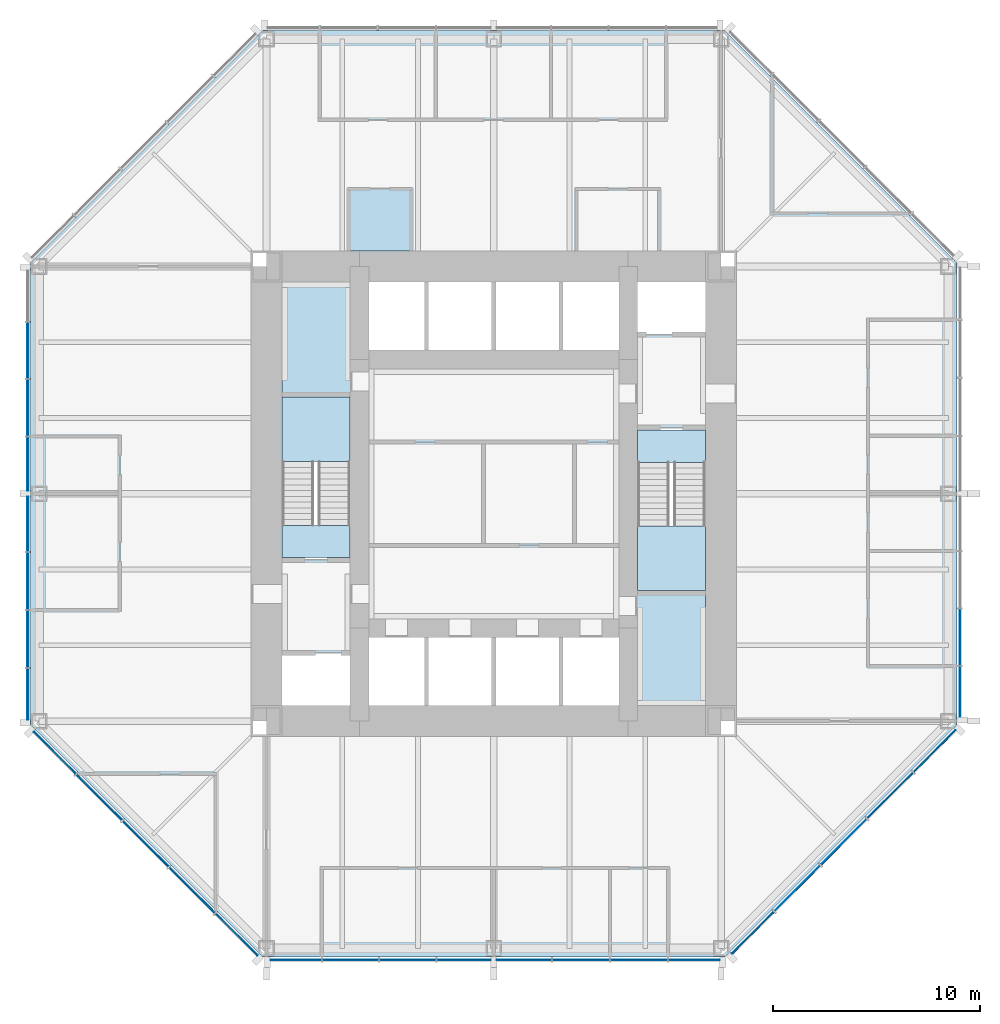
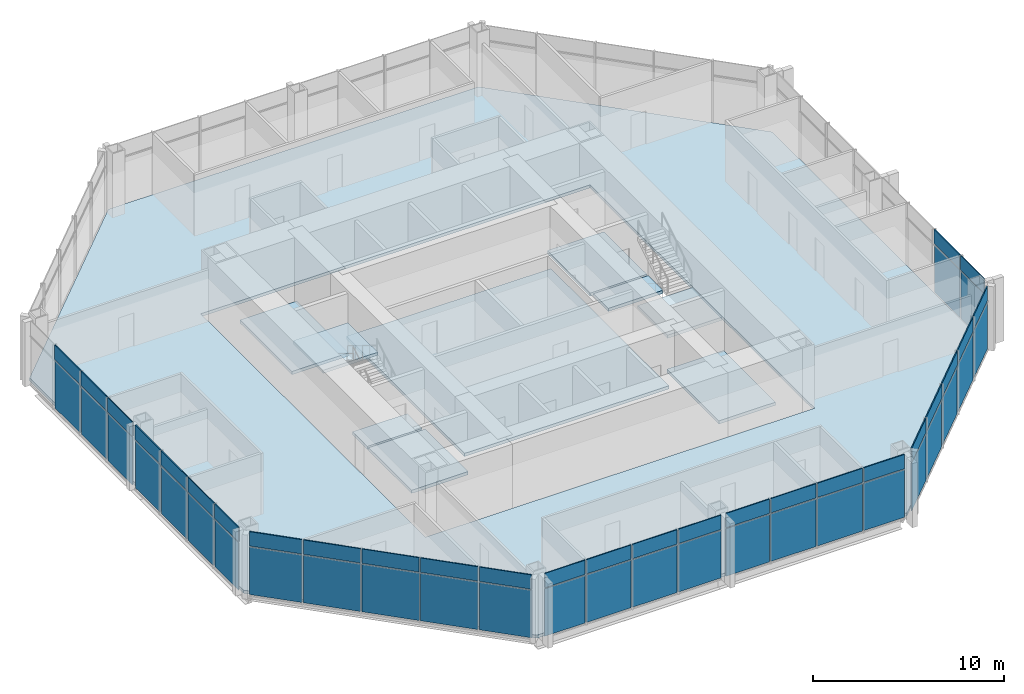
# One storey, part 7 of 12: 54 plates, 10 slabs, 7 elements without a shape of their own.
"""IFC4 building model written with IfcOpenShell, lengths in metres."""

from ifc_helpers import new_model, si_unit, direction, frame, origin, origin_2d, place, context, subcontext, project, spatial, polyline, rectangle, outline, extrude, material, layer, layer_set, type_object, element, aggregate, save


model = new_model("IFC4")

# Units and contexts
model_context = context("Model", 3, precision=1e-05, world=origin(), true_north=direction((0.0, 1.0)))
body_context = subcontext(model_context, "Body", "Model", "MODEL_VIEW")
ifc_project = project(units=[si_unit("LENGTHUNIT", "METRE"), si_unit("AREAUNIT", "SQUARE_METRE"), si_unit("VOLUMEUNIT", "CUBIC_METRE"), si_unit("PLANEANGLEUNIT", "RADIAN"), si_unit("MASSUNIT", "GRAM", prefix="KILO")], contexts=[model_context])

# Site, building, storey
site_placement = place(None, origin())
site = spatial("IfcSite", under=ifc_project, at=site_placement, CompositionType="ELEMENT")
building_placement = place(site_placement, origin())
building = spatial("IfcBuilding", under=site, at=building_placement, Name="Trevanion Tower", CompositionType="ELEMENT")
storey_placement = place(building_placement, frame((0.0, 0.0, 150.0)))
storey = spatial("IfcBuildingStorey", under=building, at=storey_placement, Name="L35", CompositionType="ELEMENT", Elevation=150.0)

# Curtain wall, plates
ifc_material_1 = material(Name="Aluminium and glass", Category="aluminium")
curtain_wall_type = type_object("IfcCurtainWallType", Name="CW2 curtain wall", PredefinedType="USERDEFINED", material=ifc_material_1)
curtain_wall_1_placement = place(storey_placement, origin())
curtain_wall_1 = element("IfcCurtainWall", 1, at=curtain_wall_1_placement, inside=storey, type_object=curtain_wall_type, Name="CW2 L35 0", ObjectType="UNITISED CURTAIN WALL", PredefinedType="USERDEFINED")
ifc_material_2 = material(Name="Aluminium spandrel panel", Category="aluminium")
ifc_layer_1 = layer(ifc_material_2, 0.06005859375)
ifc_layer_set_1 = layer_set([ifc_layer_1], Name="CW2 spandrel panel")
plate_type_1 = type_object("IfcPlateType", Name="CW2 spandrel panel", PredefinedType="CURTAIN_PANEL", material=ifc_layer_set_1)
plate_1_placement = place(storey_placement, frame((22.550048828125, -9.579345703125, 2.99755859375), z_axis=(0.0, 0.0, 1.0), x_axis=(0.0, 1.0, 0.0)))
plate_1 = element("IfcPlate", 2, at=plate_1_placement, type_object=plate_type_1, Name="CW2 panel 1.2", PredefinedType="CURTAIN_PANEL", context=body_context, shape_type="SweptSolid", body=[
    extrude(rectangle(XDim=2.43701171875, YDim=0.06005859375, at=origin_2d()), origin(), (0.0, 0.0, 1.0), 0.91259765625),
])
plate_2_placement = place(storey_placement, frame((22.550048828125, -6.93603515625, 2.99755859375), z_axis=(0.0, 0.0, 1.0), x_axis=(0.0, 1.0, 0.0)))
plate_2 = element("IfcPlate", 3, at=plate_2_placement, type_object=plate_type_1, Name="CW2 panel 2.2", PredefinedType="CURTAIN_PANEL", context=body_context, shape_type="SweptSolid", body=[
    extrude(rectangle(XDim=2.699462890625, YDim=0.06005859375, at=origin_2d()), origin(), (0.0, 0.0, 1.0), 0.91259765625),
])

curtain_wall_2_placement = place(storey_placement, origin())
curtain_wall_2 = element("IfcCurtainWall", 4, at=curtain_wall_2_placement, inside=storey, type_object=curtain_wall_type, Name="CW2 L35 4", ObjectType="UNITISED CURTAIN WALL", PredefinedType="USERDEFINED")
plate_3_placement = place(storey_placement, frame((-22.550048828125, 6.93603515625, 2.99755859375), z_axis=(0.0, 0.0, 1.0), x_axis=(0.0, -1.0, 0.0)))
plate_3 = element("IfcPlate", 5, at=plate_3_placement, type_object=plate_type_1, Name="CW2 panel 2.2", PredefinedType="CURTAIN_PANEL", context=body_context, shape_type="SweptSolid", body=[
    extrude(rectangle(XDim=2.699462890625, YDim=0.06005859375, at=origin_2d()), origin(), (0.0, 0.0, 1.0), 0.91259765625),
])
plate_4_placement = place(storey_placement, frame((-22.550048828125, 4.16162109375, 2.99755859375), z_axis=(0.0, 0.0, 1.0), x_axis=(0.0, -1.0, 0.0)))
plate_4 = element("IfcPlate", 6, at=plate_4_placement, type_object=plate_type_1, Name="CW2 panel 3.2", PredefinedType="CURTAIN_PANEL", context=body_context, shape_type="SweptSolid", body=[
    extrude(rectangle(XDim=2.699462890625, YDim=0.06005859375, at=origin_2d()), origin(), (0.0, 0.0, 1.0), 0.91259765625),
])
plate_5_placement = place(storey_placement, frame((-22.550048828125, 1.443603515625, 2.99755859375), z_axis=(0.0, 0.0, 1.0), x_axis=(0.0, -1.0, 0.0)))
plate_5 = element("IfcPlate", 7, at=plate_5_placement, type_object=plate_type_1, Name="CW2 panel 4.2", PredefinedType="CURTAIN_PANEL", context=body_context, shape_type="SweptSolid", body=[
    extrude(rectangle(XDim=2.5869140625, YDim=0.06005859375, at=origin_2d()), origin(), (0.0, 0.0, 1.0), 0.91259765625),
])
plate_6_placement = place(storey_placement, frame((-22.550048828125, -1.459716796875, 2.99755859375), z_axis=(0.0, 0.0, 1.0), x_axis=(0.0, -1.0, 0.0)))
plate_6 = element("IfcPlate", 8, at=plate_6_placement, type_object=plate_type_1, Name="CW2 panel 5.2", PredefinedType="CURTAIN_PANEL", context=body_context, shape_type="SweptSolid", body=[
    extrude(rectangle(XDim=2.619384765625, YDim=0.06005859375, at=origin_2d()), origin(), (0.0, 0.0, 1.0), 0.91259765625),
])
plate_7_placement = place(storey_placement, frame((-22.550048828125, -4.21044921875, 2.99755859375), z_axis=(0.0, 0.0, 1.0), x_axis=(0.0, -1.0, 0.0)))
plate_7 = element("IfcPlate", 9, at=plate_7_placement, type_object=plate_type_1, Name="CW2 panel 6.2", PredefinedType="CURTAIN_PANEL", context=body_context, shape_type="SweptSolid", body=[
    extrude(rectangle(XDim=2.73193359375, YDim=0.06005859375, at=origin_2d()), origin(), (0.0, 0.0, 1.0), 0.91259765625),
])
plate_8_placement = place(storey_placement, frame((-22.550048828125, -7.017333984375, 2.99755859375), z_axis=(0.0, 0.0, 1.0), x_axis=(0.0, -1.0, 0.0)))
plate_8 = element("IfcPlate", 10, at=plate_8_placement, type_object=plate_type_1, Name="CW2 panel 7.2", PredefinedType="CURTAIN_PANEL", context=body_context, shape_type="SweptSolid", body=[
    extrude(rectangle(XDim=2.73193359375, YDim=0.06005859375, at=origin_2d()), origin(), (0.0, 0.0, 1.0), 0.91259765625),
])
plate_9_placement = place(storey_placement, frame((-22.550048828125, -9.693115234375, 2.99755859375), z_axis=(0.0, 0.0, 1.0), x_axis=(0.0, -1.0, 0.0)))
plate_9 = element("IfcPlate", 11, at=plate_9_placement, type_object=plate_type_1, Name="CW2 panel 8.2", PredefinedType="CURTAIN_PANEL", context=body_context, shape_type="SweptSolid", body=[
    extrude(rectangle(XDim=2.469482421875, YDim=0.06005859375, at=origin_2d()), origin(), (0.0, 0.0, 1.0), 0.91259765625),
])

curtain_wall_3_placement = place(storey_placement, origin())
curtain_wall_3 = element("IfcCurtainWall", 12, at=curtain_wall_3_placement, inside=storey, type_object=curtain_wall_type, Name="CW2 L35 5", ObjectType="UNITISED CURTAIN WALL", PredefinedType="USERDEFINED")
plate_10_placement = place(storey_placement, frame((-21.2421875, -12.53564453125, 2.99755859375), z_axis=(0.0, 0.0, 1.0), x_axis=(0.707106781187, -0.707106781187, 0.0)))
plate_10 = element("IfcPlate", 13, at=plate_10_placement, type_object=plate_type_1, Name="CW2 panel 1.2", PredefinedType="CURTAIN_PANEL", context=body_context, shape_type="SweptSolid", body=[
    extrude(rectangle(XDim=2.8388671875, YDim=0.06005859375, at=origin_2d()), origin(), (0.0, 0.0, 1.0), 0.91259765625),
])
plate_11_placement = place(storey_placement, frame((-19.089111328125, -14.688720703125, 2.99755859375), z_axis=(0.0, 0.0, 1.0), x_axis=(0.707106781187, -0.707106781187, 0.0)))
plate_11 = element("IfcPlate", 14, at=plate_11_placement, type_object=plate_type_1, Name="CW2 panel 2.2", PredefinedType="CURTAIN_PANEL", context=body_context, shape_type="SweptSolid", body=[
    extrude(rectangle(XDim=3.101318359375, YDim=0.06005859375, at=origin_2d()), origin(), (0.0, 0.0, 1.0), 0.91259765625),
])
plate_12_placement = place(storey_placement, frame((-16.843017578125, -16.934814453125, 2.99755859375), z_axis=(0.0, 0.0, 1.0), x_axis=(0.707106781187, -0.707106781187, 0.0)))
plate_12 = element("IfcPlate", 15, at=plate_12_placement, type_object=plate_type_1, Name="CW2 panel 3.2", PredefinedType="CURTAIN_PANEL", context=body_context, shape_type="SweptSolid", body=[
    extrude(rectangle(XDim=3.101318359375, YDim=0.06005859375, at=origin_2d()), origin(), (0.0, 0.0, 1.0), 0.91259765625),
])
plate_13_placement = place(storey_placement, frame((-14.596923828125, -19.180908203125, 2.99755859375), z_axis=(0.0, 0.0, 1.0), x_axis=(0.707106781187, -0.707106781187, 0.0)))
plate_13 = element("IfcPlate", 16, at=plate_13_placement, type_object=plate_type_1, Name="CW2 panel 4.2", PredefinedType="CURTAIN_PANEL", context=body_context, shape_type="SweptSolid", body=[
    extrude(rectangle(XDim=3.101318359375, YDim=0.06005859375, at=origin_2d()), origin(), (0.0, 0.0, 1.0), 0.91259765625),
])
plate_14_placement = place(storey_placement, frame((-12.443603515625, -21.334228515625, 2.99755859375), z_axis=(0.0, 0.0, 1.0), x_axis=(0.707106781187, -0.707106781187, 0.0)))
plate_14 = element("IfcPlate", 17, at=plate_14_placement, type_object=plate_type_1, Name="CW2 panel 5.2", PredefinedType="CURTAIN_PANEL", context=body_context, shape_type="SweptSolid", body=[
    extrude(rectangle(XDim=2.8388671875, YDim=0.06005859375, at=origin_2d()), origin(), (0.0, 0.0, 1.0), 0.91259765625),
])

curtain_wall_4_placement = place(storey_placement, origin())
curtain_wall_4 = element("IfcCurtainWall", 18, at=curtain_wall_4_placement, inside=storey, type_object=curtain_wall_type, Name="CW2 L35 6", ObjectType="UNITISED CURTAIN WALL", PredefinedType="USERDEFINED")
plate_15_placement = place(storey_placement, frame((-9.579345703125, -22.550048828125, 2.99755859375), z_axis=(0.0, 0.0, 1.0), x_axis=(1.0, 0.0, 0.0)))
plate_15 = element("IfcPlate", 19, at=plate_15_placement, type_object=plate_type_1, Name="CW2 panel 1.2", PredefinedType="CURTAIN_PANEL", context=body_context, shape_type="SweptSolid", body=[
    extrude(rectangle(XDim=2.43701171875, YDim=0.06005859375, at=origin_2d()), origin(), (0.0, 0.0, 1.0), 0.91259765625),
])
plate_16_placement = place(storey_placement, frame((-6.93603515625, -22.550048828125, 2.99755859375), z_axis=(0.0, 0.0, 1.0), x_axis=(1.0, 0.0, 0.0)))
plate_16 = element("IfcPlate", 20, at=plate_16_placement, type_object=plate_type_1, Name="CW2 panel 2.2", PredefinedType="CURTAIN_PANEL", context=body_context, shape_type="SweptSolid", body=[
    extrude(rectangle(XDim=2.699462890625, YDim=0.06005859375, at=origin_2d()), origin(), (0.0, 0.0, 1.0), 0.91259765625),
])
plate_17_placement = place(storey_placement, frame((-4.16162109375, -22.550048828125, 2.99755859375), z_axis=(0.0, 0.0, 1.0), x_axis=(1.0, 0.0, 0.0)))
plate_17 = element("IfcPlate", 21, at=plate_17_placement, type_object=plate_type_1, Name="CW2 panel 3.2", PredefinedType="CURTAIN_PANEL", context=body_context, shape_type="SweptSolid", body=[
    extrude(rectangle(XDim=2.699462890625, YDim=0.06005859375, at=origin_2d()), origin(), (0.0, 0.0, 1.0), 0.91259765625),
])
plate_18_placement = place(storey_placement, frame((-1.443603515625, -22.550048828125, 2.99755859375), z_axis=(0.0, 0.0, 1.0), x_axis=(1.0, 0.0, 0.0)))
plate_18 = element("IfcPlate", 22, at=plate_18_placement, type_object=plate_type_1, Name="CW2 panel 4.2", PredefinedType="CURTAIN_PANEL", context=body_context, shape_type="SweptSolid", body=[
    extrude(rectangle(XDim=2.5869140625, YDim=0.06005859375, at=origin_2d()), origin(), (0.0, 0.0, 1.0), 0.91259765625),
])
plate_19_placement = place(storey_placement, frame((1.459716796875, -22.550048828125, 2.99755859375), z_axis=(0.0, 0.0, 1.0), x_axis=(1.0, 0.0, 0.0)))
plate_19 = element("IfcPlate", 23, at=plate_19_placement, type_object=plate_type_1, Name="CW2 panel 5.2", PredefinedType="CURTAIN_PANEL", context=body_context, shape_type="SweptSolid", body=[
    extrude(rectangle(XDim=2.619384765625, YDim=0.06005859375, at=origin_2d()), origin(), (0.0, 0.0, 1.0), 0.91259765625),
])
plate_20_placement = place(storey_placement, frame((4.21044921875, -22.550048828125, 2.99755859375), z_axis=(0.0, 0.0, 1.0), x_axis=(1.0, 0.0, 0.0)))
plate_20 = element("IfcPlate", 24, at=plate_20_placement, type_object=plate_type_1, Name="CW2 panel 6.2", PredefinedType="CURTAIN_PANEL", context=body_context, shape_type="SweptSolid", body=[
    extrude(rectangle(XDim=2.73193359375, YDim=0.06005859375, at=origin_2d()), origin(), (0.0, 0.0, 1.0), 0.91259765625),
])
plate_21_placement = place(storey_placement, frame((7.017333984375, -22.550048828125, 2.99755859375), z_axis=(0.0, 0.0, 1.0), x_axis=(1.0, 0.0, 0.0)))
plate_21 = element("IfcPlate", 25, at=plate_21_placement, type_object=plate_type_1, Name="CW2 panel 7.2", PredefinedType="CURTAIN_PANEL", context=body_context, shape_type="SweptSolid", body=[
    extrude(rectangle(XDim=2.73193359375, YDim=0.06005859375, at=origin_2d()), origin(), (0.0, 0.0, 1.0), 0.91259765625),
])
plate_22_placement = place(storey_placement, frame((9.693115234375, -22.550048828125, 2.99755859375), z_axis=(0.0, 0.0, 1.0), x_axis=(1.0, 0.0, 0.0)))
plate_22 = element("IfcPlate", 26, at=plate_22_placement, type_object=plate_type_1, Name="CW2 panel 8.2", PredefinedType="CURTAIN_PANEL", context=body_context, shape_type="SweptSolid", body=[
    extrude(rectangle(XDim=2.469482421875, YDim=0.06005859375, at=origin_2d()), origin(), (0.0, 0.0, 1.0), 0.91259765625),
])

curtain_wall_5_placement = place(storey_placement, origin())
curtain_wall_5 = element("IfcCurtainWall", 27, at=curtain_wall_5_placement, inside=storey, type_object=curtain_wall_type, Name="CW2 L35 7", ObjectType="UNITISED CURTAIN WALL", PredefinedType="USERDEFINED")
plate_23_placement = place(storey_placement, frame((12.53564453125, -21.2421875, 2.99755859375), z_axis=(0.0, 0.0, 1.0), x_axis=(0.707106781187, 0.707106781187, 0.0)))
plate_23 = element("IfcPlate", 28, at=plate_23_placement, type_object=plate_type_1, Name="CW2 panel 1.2", PredefinedType="CURTAIN_PANEL", context=body_context, shape_type="SweptSolid", body=[
    extrude(rectangle(XDim=2.8388671875, YDim=0.06005859375, at=origin_2d()), origin(), (0.0, 0.0, 1.0), 0.91259765625),
])
plate_24_placement = place(storey_placement, frame((14.688720703125, -19.089111328125, 2.99755859375), z_axis=(0.0, 0.0, 1.0), x_axis=(0.707106781187, 0.707106781187, 0.0)))
plate_24 = element("IfcPlate", 29, at=plate_24_placement, type_object=plate_type_1, Name="CW2 panel 2.2", PredefinedType="CURTAIN_PANEL", context=body_context, shape_type="SweptSolid", body=[
    extrude(rectangle(XDim=3.101318359375, YDim=0.06005859375, at=origin_2d()), origin(), (0.0, 0.0, 1.0), 0.91259765625),
])
plate_25_placement = place(storey_placement, frame((16.934814453125, -16.843017578125, 2.99755859375), z_axis=(0.0, 0.0, 1.0), x_axis=(0.707106781187, 0.707106781187, 0.0)))
plate_25 = element("IfcPlate", 30, at=plate_25_placement, type_object=plate_type_1, Name="CW2 panel 3.2", PredefinedType="CURTAIN_PANEL", context=body_context, shape_type="SweptSolid", body=[
    extrude(rectangle(XDim=3.101318359375, YDim=0.06005859375, at=origin_2d()), origin(), (0.0, 0.0, 1.0), 0.91259765625),
])
plate_26_placement = place(storey_placement, frame((19.180908203125, -14.596923828125, 2.99755859375), z_axis=(0.0, 0.0, 1.0), x_axis=(0.707106781187, 0.707106781187, 0.0)))
plate_26 = element("IfcPlate", 31, at=plate_26_placement, type_object=plate_type_1, Name="CW2 panel 4.2", PredefinedType="CURTAIN_PANEL", context=body_context, shape_type="SweptSolid", body=[
    extrude(rectangle(XDim=3.101318359375, YDim=0.06005859375, at=origin_2d()), origin(), (0.0, 0.0, 1.0), 0.91259765625),
])
plate_27_placement = place(storey_placement, frame((21.334228515625, -12.443603515625, 2.99755859375), z_axis=(0.0, 0.0, 1.0), x_axis=(0.707106781187, 0.707106781187, 0.0)))
plate_27 = element("IfcPlate", 32, at=plate_27_placement, type_object=plate_type_1, Name="CW2 panel 5.2", PredefinedType="CURTAIN_PANEL", context=body_context, shape_type="SweptSolid", body=[
    extrude(rectangle(XDim=2.8388671875, YDim=0.06005859375, at=origin_2d()), origin(), (0.0, 0.0, 1.0), 0.91259765625),
])

# Plate
ifc_material_3 = material(Name="Insulating glass unit", Category="glass")
ifc_layer_2 = layer(ifc_material_3, 0.028076171875)
ifc_layer_set_2 = layer_set([ifc_layer_2], Name="CW2 vision panel")
plate_type_2 = type_object("IfcPlateType", Name="CW2 vision panel", PredefinedType="CURTAIN_PANEL", material=ifc_layer_set_2)
plate_28_placement = place(storey_placement, frame((22.550048828125, -9.579345703125, -0.114990234375), z_axis=(0.0, 0.0, 1.0), x_axis=(0.0, 1.0, 0.0)))
plate_28 = element("IfcPlate", 33, at=plate_28_placement, type_object=plate_type_2, Name="CW2 panel 1.1", PredefinedType="CURTAIN_PANEL", context=body_context, shape_type="SweptSolid", body=[
    extrude(rectangle(XDim=2.43701171875, YDim=0.028076171875, at=origin_2d()), origin(), (0.0, 0.0, 1.0), 3.03759765625),
])

plate_29_placement = place(storey_placement, frame((22.550048828125, -6.93603515625, -0.114990234375), z_axis=(0.0, 0.0, 1.0), x_axis=(0.0, 1.0, 0.0)))
plate_29 = element("IfcPlate", 34, at=plate_29_placement, type_object=plate_type_2, Name="CW2 panel 2.1", PredefinedType="CURTAIN_PANEL", context=body_context, shape_type="SweptSolid", body=[
    extrude(rectangle(XDim=2.699462890625, YDim=0.028076171875, at=origin_2d()), origin(), (0.0, 0.0, 1.0), 3.03759765625),
])

aggregate(curtain_wall_1, [plate_28, plate_1, plate_29, plate_2])

plate_30_placement = place(storey_placement, frame((-22.550048828125, 6.93603515625, -0.114990234375), z_axis=(0.0, 0.0, 1.0), x_axis=(0.0, -1.0, 0.0)))
plate_30 = element("IfcPlate", 35, at=plate_30_placement, type_object=plate_type_2, Name="CW2 panel 2.1", PredefinedType="CURTAIN_PANEL", context=body_context, shape_type="SweptSolid", body=[
    extrude(rectangle(XDim=2.699462890625, YDim=0.028076171875, at=origin_2d()), origin(), (0.0, 0.0, 1.0), 3.03759765625),
])

plate_31_placement = place(storey_placement, frame((-22.550048828125, 4.16162109375, -0.114990234375), z_axis=(0.0, 0.0, 1.0), x_axis=(0.0, -1.0, 0.0)))
plate_31 = element("IfcPlate", 36, at=plate_31_placement, type_object=plate_type_2, Name="CW2 panel 3.1", PredefinedType="CURTAIN_PANEL", context=body_context, shape_type="SweptSolid", body=[
    extrude(rectangle(XDim=2.699462890625, YDim=0.028076171875, at=origin_2d()), origin(), (0.0, 0.0, 1.0), 3.03759765625),
])

plate_32_placement = place(storey_placement, frame((-22.550048828125, 1.443603515625, -0.114990234375), z_axis=(0.0, 0.0, 1.0), x_axis=(0.0, -1.0, 0.0)))
plate_32 = element("IfcPlate", 37, at=plate_32_placement, type_object=plate_type_2, Name="CW2 panel 4.1", PredefinedType="CURTAIN_PANEL", context=body_context, shape_type="SweptSolid", body=[
    extrude(rectangle(XDim=2.5869140625, YDim=0.028076171875, at=origin_2d()), origin(), (0.0, 0.0, 1.0), 3.03759765625),
])

plate_33_placement = place(storey_placement, frame((-22.550048828125, -1.459716796875, -0.114990234375), z_axis=(0.0, 0.0, 1.0), x_axis=(0.0, -1.0, 0.0)))
plate_33 = element("IfcPlate", 38, at=plate_33_placement, type_object=plate_type_2, Name="CW2 panel 5.1", PredefinedType="CURTAIN_PANEL", context=body_context, shape_type="SweptSolid", body=[
    extrude(rectangle(XDim=2.619384765625, YDim=0.028076171875, at=origin_2d()), origin(), (0.0, 0.0, 1.0), 3.03759765625),
])

plate_34_placement = place(storey_placement, frame((-22.550048828125, -4.21044921875, -0.114990234375), z_axis=(0.0, 0.0, 1.0), x_axis=(0.0, -1.0, 0.0)))
plate_34 = element("IfcPlate", 39, at=plate_34_placement, type_object=plate_type_2, Name="CW2 panel 6.1", PredefinedType="CURTAIN_PANEL", context=body_context, shape_type="SweptSolid", body=[
    extrude(rectangle(XDim=2.73193359375, YDim=0.028076171875, at=origin_2d()), origin(), (0.0, 0.0, 1.0), 3.03759765625),
])

plate_35_placement = place(storey_placement, frame((-22.550048828125, -7.017333984375, -0.114990234375), z_axis=(0.0, 0.0, 1.0), x_axis=(0.0, -1.0, 0.0)))
plate_35 = element("IfcPlate", 40, at=plate_35_placement, type_object=plate_type_2, Name="CW2 panel 7.1", PredefinedType="CURTAIN_PANEL", context=body_context, shape_type="SweptSolid", body=[
    extrude(rectangle(XDim=2.73193359375, YDim=0.028076171875, at=origin_2d()), origin(), (0.0, 0.0, 1.0), 3.03759765625),
])

plate_36_placement = place(storey_placement, frame((-22.550048828125, -9.693115234375, -0.114990234375), z_axis=(0.0, 0.0, 1.0), x_axis=(0.0, -1.0, 0.0)))
plate_36 = element("IfcPlate", 41, at=plate_36_placement, type_object=plate_type_2, Name="CW2 panel 8.1", PredefinedType="CURTAIN_PANEL", context=body_context, shape_type="SweptSolid", body=[
    extrude(rectangle(XDim=2.469482421875, YDim=0.028076171875, at=origin_2d()), origin(), (0.0, 0.0, 1.0), 3.03759765625),
])

aggregate(curtain_wall_2, [plate_30, plate_3, plate_31, plate_4, plate_32, plate_5, plate_33, plate_6, plate_34, plate_7, plate_35, plate_8, plate_36, plate_9])

plate_37_placement = place(storey_placement, frame((-21.2421875, -12.53564453125, -0.114990234375), z_axis=(0.0, 0.0, 1.0), x_axis=(0.707106781187, -0.707106781187, 0.0)))
plate_37 = element("IfcPlate", 42, at=plate_37_placement, type_object=plate_type_2, Name="CW2 panel 1.1", PredefinedType="CURTAIN_PANEL", context=body_context, shape_type="SweptSolid", body=[
    extrude(rectangle(XDim=2.8388671875, YDim=0.028076171875, at=origin_2d()), origin(), (0.0, 0.0, 1.0), 3.03759765625),
])

plate_38_placement = place(storey_placement, frame((-19.089111328125, -14.688720703125, -0.114990234375), z_axis=(0.0, 0.0, 1.0), x_axis=(0.707106781187, -0.707106781187, 0.0)))
plate_38 = element("IfcPlate", 43, at=plate_38_placement, type_object=plate_type_2, Name="CW2 panel 2.1", PredefinedType="CURTAIN_PANEL", context=body_context, shape_type="SweptSolid", body=[
    extrude(rectangle(XDim=3.101318359375, YDim=0.028076171875, at=origin_2d()), origin(), (0.0, 0.0, 1.0), 3.03759765625),
])

plate_39_placement = place(storey_placement, frame((-16.843017578125, -16.934814453125, -0.114990234375), z_axis=(0.0, 0.0, 1.0), x_axis=(0.707106781187, -0.707106781187, 0.0)))
plate_39 = element("IfcPlate", 44, at=plate_39_placement, type_object=plate_type_2, Name="CW2 panel 3.1", PredefinedType="CURTAIN_PANEL", context=body_context, shape_type="SweptSolid", body=[
    extrude(rectangle(XDim=3.101318359375, YDim=0.028076171875, at=origin_2d()), origin(), (0.0, 0.0, 1.0), 3.03759765625),
])

plate_40_placement = place(storey_placement, frame((-14.596923828125, -19.180908203125, -0.114990234375), z_axis=(0.0, 0.0, 1.0), x_axis=(0.707106781187, -0.707106781187, 0.0)))
plate_40 = element("IfcPlate", 45, at=plate_40_placement, type_object=plate_type_2, Name="CW2 panel 4.1", PredefinedType="CURTAIN_PANEL", context=body_context, shape_type="SweptSolid", body=[
    extrude(rectangle(XDim=3.101318359375, YDim=0.028076171875, at=origin_2d()), origin(), (0.0, 0.0, 1.0), 3.03759765625),
])

plate_41_placement = place(storey_placement, frame((-12.443603515625, -21.334228515625, -0.114990234375), z_axis=(0.0, 0.0, 1.0), x_axis=(0.707106781187, -0.707106781187, 0.0)))
plate_41 = element("IfcPlate", 46, at=plate_41_placement, type_object=plate_type_2, Name="CW2 panel 5.1", PredefinedType="CURTAIN_PANEL", context=body_context, shape_type="SweptSolid", body=[
    extrude(rectangle(XDim=2.8388671875, YDim=0.028076171875, at=origin_2d()), origin(), (0.0, 0.0, 1.0), 3.03759765625),
])

aggregate(curtain_wall_3, [plate_37, plate_10, plate_38, plate_11, plate_39, plate_12, plate_40, plate_13, plate_41, plate_14])

plate_42_placement = place(storey_placement, frame((-9.579345703125, -22.550048828125, -0.114990234375), z_axis=(0.0, 0.0, 1.0), x_axis=(1.0, 0.0, 0.0)))
plate_42 = element("IfcPlate", 47, at=plate_42_placement, type_object=plate_type_2, Name="CW2 panel 1.1", PredefinedType="CURTAIN_PANEL", context=body_context, shape_type="SweptSolid", body=[
    extrude(rectangle(XDim=2.43701171875, YDim=0.028076171875, at=origin_2d()), origin(), (0.0, 0.0, 1.0), 3.03759765625),
])

plate_43_placement = place(storey_placement, frame((-6.93603515625, -22.550048828125, -0.114990234375), z_axis=(0.0, 0.0, 1.0), x_axis=(1.0, 0.0, 0.0)))
plate_43 = element("IfcPlate", 48, at=plate_43_placement, type_object=plate_type_2, Name="CW2 panel 2.1", PredefinedType="CURTAIN_PANEL", context=body_context, shape_type="SweptSolid", body=[
    extrude(rectangle(XDim=2.699462890625, YDim=0.028076171875, at=origin_2d()), origin(), (0.0, 0.0, 1.0), 3.03759765625),
])

plate_44_placement = place(storey_placement, frame((-4.16162109375, -22.550048828125, -0.114990234375), z_axis=(0.0, 0.0, 1.0), x_axis=(1.0, 0.0, 0.0)))
plate_44 = element("IfcPlate", 49, at=plate_44_placement, type_object=plate_type_2, Name="CW2 panel 3.1", PredefinedType="CURTAIN_PANEL", context=body_context, shape_type="SweptSolid", body=[
    extrude(rectangle(XDim=2.699462890625, YDim=0.028076171875, at=origin_2d()), origin(), (0.0, 0.0, 1.0), 3.03759765625),
])

plate_45_placement = place(storey_placement, frame((-1.443603515625, -22.550048828125, -0.114990234375), z_axis=(0.0, 0.0, 1.0), x_axis=(1.0, 0.0, 0.0)))
plate_45 = element("IfcPlate", 50, at=plate_45_placement, type_object=plate_type_2, Name="CW2 panel 4.1", PredefinedType="CURTAIN_PANEL", context=body_context, shape_type="SweptSolid", body=[
    extrude(rectangle(XDim=2.5869140625, YDim=0.028076171875, at=origin_2d()), origin(), (0.0, 0.0, 1.0), 3.03759765625),
])

plate_46_placement = place(storey_placement, frame((1.459716796875, -22.550048828125, -0.114990234375), z_axis=(0.0, 0.0, 1.0), x_axis=(1.0, 0.0, 0.0)))
plate_46 = element("IfcPlate", 51, at=plate_46_placement, type_object=plate_type_2, Name="CW2 panel 5.1", PredefinedType="CURTAIN_PANEL", context=body_context, shape_type="SweptSolid", body=[
    extrude(rectangle(XDim=2.619384765625, YDim=0.028076171875, at=origin_2d()), origin(), (0.0, 0.0, 1.0), 3.03759765625),
])

plate_47_placement = place(storey_placement, frame((4.21044921875, -22.550048828125, -0.114990234375), z_axis=(0.0, 0.0, 1.0), x_axis=(1.0, 0.0, 0.0)))
plate_47 = element("IfcPlate", 52, at=plate_47_placement, type_object=plate_type_2, Name="CW2 panel 6.1", PredefinedType="CURTAIN_PANEL", context=body_context, shape_type="SweptSolid", body=[
    extrude(rectangle(XDim=2.73193359375, YDim=0.028076171875, at=origin_2d()), origin(), (0.0, 0.0, 1.0), 3.03759765625),
])

plate_48_placement = place(storey_placement, frame((7.017333984375, -22.550048828125, -0.114990234375), z_axis=(0.0, 0.0, 1.0), x_axis=(1.0, 0.0, 0.0)))
plate_48 = element("IfcPlate", 53, at=plate_48_placement, type_object=plate_type_2, Name="CW2 panel 7.1", PredefinedType="CURTAIN_PANEL", context=body_context, shape_type="SweptSolid", body=[
    extrude(rectangle(XDim=2.73193359375, YDim=0.028076171875, at=origin_2d()), origin(), (0.0, 0.0, 1.0), 3.03759765625),
])

plate_49_placement = place(storey_placement, frame((9.693115234375, -22.550048828125, -0.114990234375), z_axis=(0.0, 0.0, 1.0), x_axis=(1.0, 0.0, 0.0)))
plate_49 = element("IfcPlate", 54, at=plate_49_placement, type_object=plate_type_2, Name="CW2 panel 8.1", PredefinedType="CURTAIN_PANEL", context=body_context, shape_type="SweptSolid", body=[
    extrude(rectangle(XDim=2.469482421875, YDim=0.028076171875, at=origin_2d()), origin(), (0.0, 0.0, 1.0), 3.03759765625),
])

aggregate(curtain_wall_4, [plate_42, plate_15, plate_43, plate_16, plate_44, plate_17, plate_45, plate_18, plate_46, plate_19, plate_47, plate_20, plate_48, plate_21, plate_49, plate_22])

plate_50_placement = place(storey_placement, frame((12.53564453125, -21.2421875, -0.114990234375), z_axis=(0.0, 0.0, 1.0), x_axis=(0.707106781187, 0.707106781187, 0.0)))
plate_50 = element("IfcPlate", 55, at=plate_50_placement, type_object=plate_type_2, Name="CW2 panel 1.1", PredefinedType="CURTAIN_PANEL", context=body_context, shape_type="SweptSolid", body=[
    extrude(rectangle(XDim=2.8388671875, YDim=0.028076171875, at=origin_2d()), origin(), (0.0, 0.0, 1.0), 3.03759765625),
])

plate_51_placement = place(storey_placement, frame((14.688720703125, -19.089111328125, -0.114990234375), z_axis=(0.0, 0.0, 1.0), x_axis=(0.707106781187, 0.707106781187, 0.0)))
plate_51 = element("IfcPlate", 56, at=plate_51_placement, type_object=plate_type_2, Name="CW2 panel 2.1", PredefinedType="CURTAIN_PANEL", context=body_context, shape_type="SweptSolid", body=[
    extrude(rectangle(XDim=3.101318359375, YDim=0.028076171875, at=origin_2d()), origin(), (0.0, 0.0, 1.0), 3.03759765625),
])

plate_52_placement = place(storey_placement, frame((16.934814453125, -16.843017578125, -0.114990234375), z_axis=(0.0, 0.0, 1.0), x_axis=(0.707106781187, 0.707106781187, 0.0)))
plate_52 = element("IfcPlate", 57, at=plate_52_placement, type_object=plate_type_2, Name="CW2 panel 3.1", PredefinedType="CURTAIN_PANEL", context=body_context, shape_type="SweptSolid", body=[
    extrude(rectangle(XDim=3.101318359375, YDim=0.028076171875, at=origin_2d()), origin(), (0.0, 0.0, 1.0), 3.03759765625),
])

plate_53_placement = place(storey_placement, frame((19.180908203125, -14.596923828125, -0.114990234375), z_axis=(0.0, 0.0, 1.0), x_axis=(0.707106781187, 0.707106781187, 0.0)))
plate_53 = element("IfcPlate", 58, at=plate_53_placement, type_object=plate_type_2, Name="CW2 panel 4.1", PredefinedType="CURTAIN_PANEL", context=body_context, shape_type="SweptSolid", body=[
    extrude(rectangle(XDim=3.101318359375, YDim=0.028076171875, at=origin_2d()), origin(), (0.0, 0.0, 1.0), 3.03759765625),
])

plate_54_placement = place(storey_placement, frame((21.334228515625, -12.443603515625, -0.114990234375), z_axis=(0.0, 0.0, 1.0), x_axis=(0.707106781187, 0.707106781187, 0.0)))
plate_54 = element("IfcPlate", 59, at=plate_54_placement, type_object=plate_type_2, Name="CW2 panel 5.1", PredefinedType="CURTAIN_PANEL", context=body_context, shape_type="SweptSolid", body=[
    extrude(rectangle(XDim=2.8388671875, YDim=0.028076171875, at=origin_2d()), origin(), (0.0, 0.0, 1.0), 3.03759765625),
])

aggregate(curtain_wall_5, [plate_50, plate_23, plate_51, plate_24, plate_52, plate_25, plate_53, plate_26, plate_54, plate_27])

# Slabs
ifc_material_4 = material(Name="Concrete 5,000 psi on composite metal deck", Category="concrete")
ifc_layer_3 = layer(ifc_material_4, 0.18994140625)
ifc_layer_set_3 = layer_set([ifc_layer_3], Name="SL1 composite floor 190")
slab_type_1 = type_object("IfcSlabType", Name="SL1 composite floor 190", PredefinedType="FLOOR", material=ifc_layer_set_3)
slab_1_placement = place(storey_placement, frame((0.0, 0.0, -0.18994140625)))
element("IfcSlab", 60, at=slab_1_placement, inside=storey, type_object=slab_type_1, Name="SL1 L35 floor", PredefinedType="FLOOR", context=body_context, shape_type="SweptSolid", body=[
    extrude(outline(polyline([(22.419921875, -11.174072265625), (22.419921875, 11.174072265625), (11.174072265625, 22.419921875), (-11.174072265625, 22.419921875), (-22.419921875, 11.174072265625), (-22.419921875, -11.174072265625), (-11.174072265625, -22.419921875), (11.174072265625, -22.419921875), (22.419921875, -11.174072265625)]), holes=[polyline([(11.75, -11.75), (11.75, 11.75), (-11.75, 11.75), (-11.75, -11.75), (11.75, -11.75)])]), origin(), (0.0, 0.0, 1.0), 0.18994140625),
])
ifc_material_5 = material(Name="Concrete 5,000 psi", Category="concrete")
ifc_layer_4 = layer(ifc_material_5, 0.199951171875)
ifc_layer_set_4 = layer_set([ifc_layer_4], Name="SL2 core floor 200")
slab_type_2 = type_object("IfcSlabType", Name="SL2 core floor 200", PredefinedType="FLOOR", material=ifc_layer_set_4)
slab_2_placement = place(storey_placement, frame((0.0, 0.0, -0.199951171875)))
element("IfcSlab", 61, at=slab_2_placement, inside=storey, type_object=slab_type_2, Name="SL2 L35 core floor 1", PredefinedType="FLOOR", context=body_context, shape_type="SweptSolid", body=[
    extrude(outline(polyline([(10.25, -4.804931640625), (10.25, -10.25), (6.830078125, -10.25), (6.830078125, -4.804931640625), (10.25, -4.804931640625)])), origin(), (0.0, 0.0, 1.0), 0.199951171875),
])
slab_3_placement = place(storey_placement, frame((0.0, 0.0, -0.199951171875)))
element("IfcSlab", 62, at=slab_3_placement, inside=storey, type_object=slab_type_2, Name="SL2 L35 core floor 2", PredefinedType="FLOOR", context=body_context, shape_type="SweptSolid", body=[
    extrude(outline(polyline([(-6.830078125, -3.205078125), (-6.830078125, -7.695068359375), (-10.25, -7.695068359375), (-10.25, -3.205078125), (-6.830078125, -3.205078125)])), origin(), (0.0, 0.0, 1.0), 0.199951171875),
])
slab_4_placement = place(storey_placement, frame((0.0, 0.0, -0.199951171875)))
element("IfcSlab", 63, at=slab_4_placement, inside=storey, type_object=slab_type_2, Name="SL2 L35 core floor 3", PredefinedType="FLOOR", context=body_context, shape_type="SweptSolid", body=[
    extrude(outline(polyline([(6.169921875, -6.169921875), (-6.169921875, -6.169921875), (-6.169921875, 6.169921875), (6.169921875, 6.169921875), (6.169921875, -6.169921875)])), origin(), (0.0, 0.0, 1.0), 0.199951171875),
])
slab_5_placement = place(storey_placement, frame((0.0, 0.0, -0.199951171875)))
element("IfcSlab", 64, at=slab_5_placement, inside=storey, type_object=slab_type_2, Name="SL2 L35 core floor 4", PredefinedType="FLOOR", context=body_context, shape_type="SweptSolid", body=[
    extrude(outline(polyline([(6.830078125, 3.205078125), (6.830078125, 7.695068359375), (10.25, 7.695068359375), (10.25, 3.205078125), (6.830078125, 3.205078125)])), origin(), (0.0, 0.0, 1.0), 0.199951171875),
])
slab_6_placement = place(storey_placement, frame((0.0, 0.0, -0.199951171875)))
element("IfcSlab", 65, at=slab_6_placement, inside=storey, type_object=slab_type_2, Name="SL2 L35 core floor 5", PredefinedType="FLOOR", context=body_context, shape_type="SweptSolid", body=[
    extrude(outline(polyline([(-6.830078125, 4.804931640625), (-10.25, 4.804931640625), (-10.25, 10.25), (-6.830078125, 10.25), (-6.830078125, 4.804931640625)])), origin(), (0.0, 0.0, 1.0), 0.199951171875),
])

# Stair, slabs
ifc_material_6 = material(Name="Concrete 5,000 psi on steel stringers", Category="concrete")
stair_type = type_object("IfcStairType", Name="ST stair", PredefinedType="HALF_TURN_STAIR", material=ifc_material_6)
stair_1_placement = place(storey_placement, origin())
stair_1 = element("IfcStair", 66, at=stair_1_placement, inside=storey, type_object=stair_type, Name="ST1 L35", PredefinedType="HALF_TURN_STAIR")
ifc_material_7 = material(Name="Concrete 5,000 psi in steel pan", Category="concrete")
ifc_layer_5 = layer(ifc_material_7, 0.199951171875)
ifc_layer_set_5 = layer_set([ifc_layer_5], Name="STL stair landing 200")
slab_type_3 = type_object("IfcSlabType", Name="STL stair landing 200", PredefinedType="LANDING", material=ifc_layer_set_5)
slab_7_placement = place(storey_placement, frame((0.0, 0.0, -0.199951171875)))
slab_7 = element("IfcSlab", 67, at=slab_7_placement, type_object=slab_type_3, Name="ST1 landing 1", PredefinedType="LANDING", context=body_context, shape_type="SweptSolid", body=[
    extrude(outline(polyline([(6.949951171875, 1.52490234375), (10.25, 1.52490234375), (10.25, 3.074951171875), (6.949951171875, 3.074951171875), (6.949951171875, 1.52490234375)])), origin(), (0.0, 0.0, 1.0), 0.199951171875),
])
slab_8_placement = place(storey_placement, frame((0.0, 0.0, 1.85009765625)))
slab_8 = element("IfcSlab", 68, at=slab_8_placement, type_object=slab_type_3, Name="ST1 landing 2", PredefinedType="LANDING", context=body_context, shape_type="SweptSolid", body=[
    extrude(outline(polyline([(6.949951171875, -4.675048828125), (10.25, -4.675048828125), (10.25, -1.554931640625), (6.949951171875, -1.554931640625), (6.949951171875, -4.675048828125)])), origin(), (0.0, 0.0, 1.0), 0.199951171875),
])
aggregate(stair_1, [slab_7, slab_8])

stair_2_placement = place(storey_placement, origin())
stair_2 = element("IfcStair", 69, at=stair_2_placement, inside=storey, type_object=stair_type, Name="ST2 L35", PredefinedType="HALF_TURN_STAIR")
slab_9_placement = place(storey_placement, frame((0.0, 0.0, -0.199951171875)))
slab_9 = element("IfcSlab", 70, at=slab_9_placement, type_object=slab_type_3, Name="ST2 landing 1", PredefinedType="LANDING", context=body_context, shape_type="SweptSolid", body=[
    extrude(outline(polyline([(-6.949951171875, -1.52490234375), (-10.25, -1.52490234375), (-10.25, -3.074951171875), (-6.949951171875, -3.074951171875), (-6.949951171875, -1.52490234375)])), origin(), (0.0, 0.0, 1.0), 0.199951171875),
])
slab_10_placement = place(storey_placement, frame((0.0, 0.0, 1.85009765625)))
slab_10 = element("IfcSlab", 71, at=slab_10_placement, type_object=slab_type_3, Name="ST2 landing 2", PredefinedType="LANDING", context=body_context, shape_type="SweptSolid", body=[
    extrude(outline(polyline([(-6.949951171875, 4.675048828125), (-10.25, 4.675048828125), (-10.25, 1.554931640625), (-6.949951171875, 1.554931640625), (-6.949951171875, 4.675048828125)])), origin(), (0.0, 0.0, 1.0), 0.199951171875),
])
aggregate(stair_2, [slab_9, slab_10])

save(model, "model.ifc")
